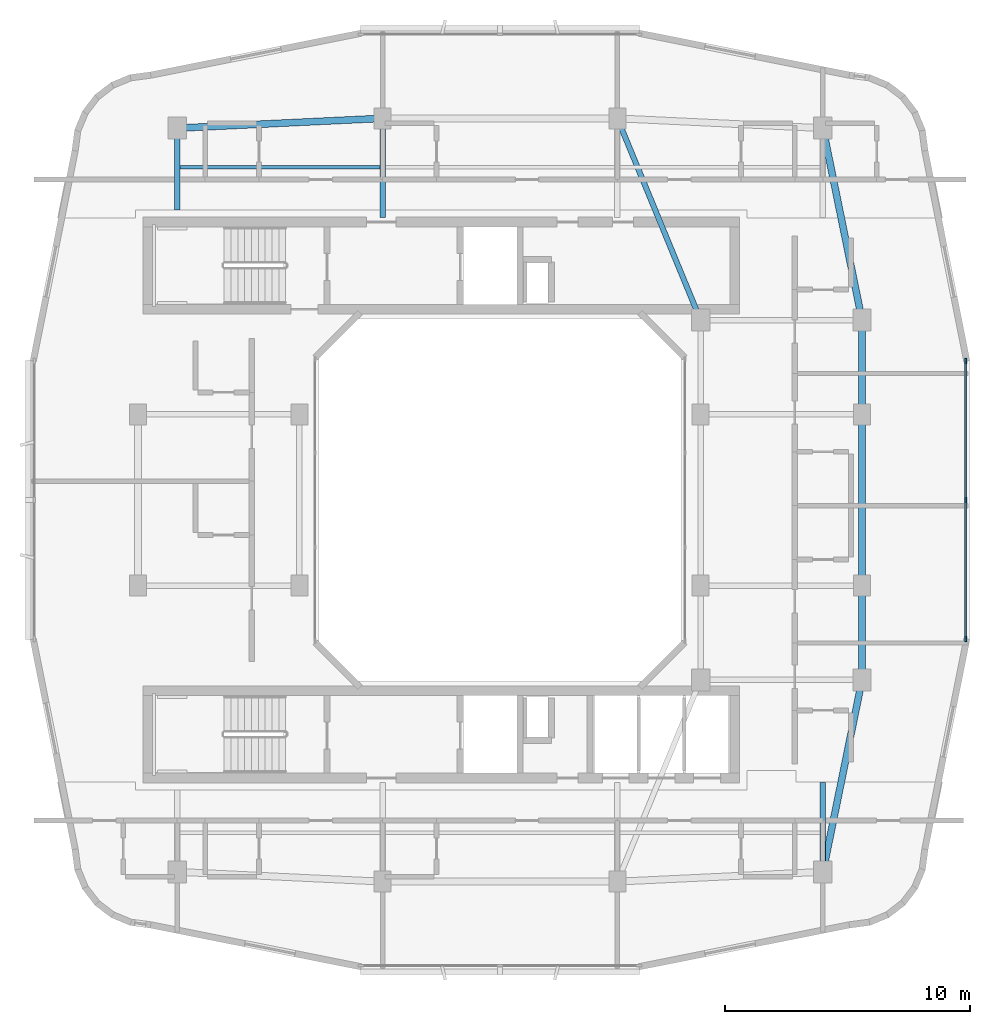
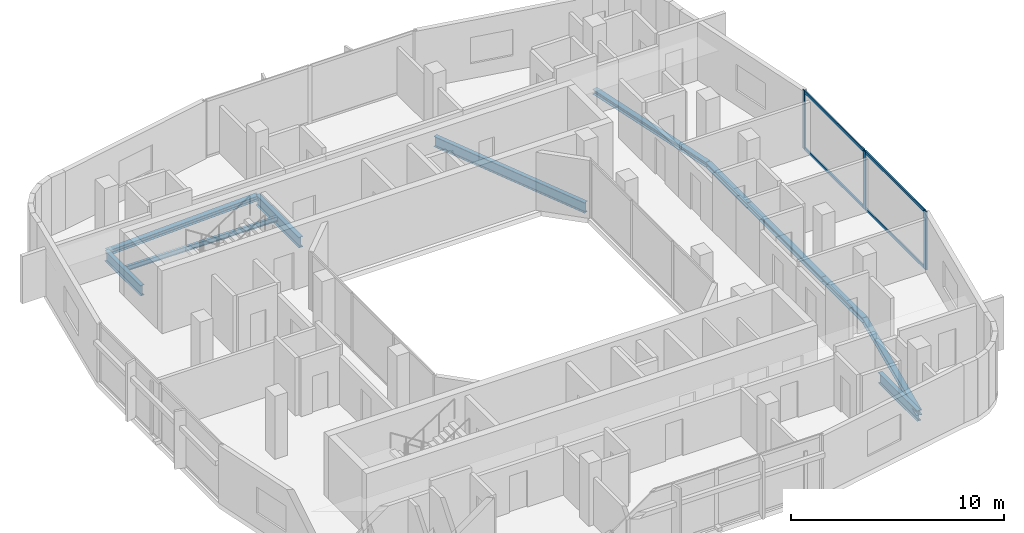
# One storey, part 4 of 14: 11 beams, 7 members, 1 element without a shape of its own.
"""IFC4 building model written with IfcOpenShell, lengths in metres."""

from ifc_helpers import new_model, si_unit, derived_unit, direction, frame, origin, origin_2d, place, context, subcontext, project, spatial, rectangle, i_section, extrude, material, layer, layer_set, material_profile, profile_set, type_object, element, aggregate, save


model = new_model("IFC4")

# Units and contexts
model_context = context("Model", 3, precision=1e-05, world=origin(), true_north=direction((0.0, 1.0)))
body_context = subcontext(model_context, "Body", "Model", "MODEL_VIEW")
ifc_project = project(units=[si_unit("LENGTHUNIT", "METRE"), si_unit("AREAUNIT", "SQUARE_METRE"), si_unit("VOLUMEUNIT", "CUBIC_METRE"), si_unit("PLANEANGLEUNIT", "RADIAN"), si_unit("MASSUNIT", "GRAM", prefix="KILO"), derived_unit("THERMALTRANSMITTANCEUNIT", [(si_unit("POWERUNIT", "WATT"), 1), (si_unit("LENGTHUNIT", "METRE"), -2), (si_unit("THERMODYNAMICTEMPERATUREUNIT", "KELVIN"), -1)])], contexts=[model_context])

# Site, building, storey
site_placement = place(None, origin())
site = spatial("IfcSite", under=ifc_project, at=site_placement, CompositionType="ELEMENT")
building_placement = place(site_placement, origin())
building = spatial("IfcBuilding", under=site, at=building_placement, Name="Kivonza Crest Hotel", CompositionType="ELEMENT")
storey_placement = place(building_placement, frame((0.0, 0.0, 224.300048828125)))
storey = spatial("IfcBuildingStorey", under=building, at=storey_placement, Name="L61", CompositionType="ELEMENT", Elevation=224.300048828125)

# Beams
ifc_material_1 = material(Name="Steel S355", Category="steel")
ifc_material_profile_1 = material_profile(ifc_material_1, i_section(OverallWidth=0.280029296875, OverallDepth=0.280029296875, WebThickness=0.010498046875, FlangeThickness=0.01806640625, FilletRadius=0.02392578125, at=origin_2d()), Name="HEB 280")
ifc_profile_set_1 = profile_set([ifc_material_profile_1], Name="Steel S355")
beam_type_1 = type_object("IfcBeamType", Name="BM-HEB280", PredefinedType="SPANDREL", material=ifc_profile_set_1)
beam_1_placement = place(storey_placement, frame((34.199951171875, 9.800048828125, -0.420166015625), z_axis=(0.199730733965, 0.979850822273, 0.0), x_axis=(-0.979850822273, 0.199730733965, 0.0)))
element("IfcBeam", 1, at=beam_1_placement, inside=storey, type_object=beam_type_1, Name="Tower T1 L61 perimeter spandrel SE-PSE", PredefinedType="SPANDREL", context=body_context, shape_type="SweptSolid", body=[
    extrude(i_section(OverallWidth=0.280029296875, OverallDepth=0.280029296875, WebThickness=0.010498046875, FlangeThickness=0.01806640625, FilletRadius=0.02392578125, at=origin_2d()), origin(), (0.0, 0.0, 1.0), 8.01123046875),
])
beam_2_placement = place(storey_placement, frame((35.800048828125, 17.64990234375, -0.420166015625), z_axis=(0.0, 1.0, 0.0), x_axis=(-1.0, 0.0, 0.0)))
element("IfcBeam", 2, at=beam_2_placement, inside=storey, type_object=beam_type_1, Name="Tower T1 L61 perimeter spandrel PSE-E1", PredefinedType="SPANDREL", context=body_context, shape_type="SweptSolid", body=[
    extrude(i_section(OverallWidth=0.280029296875, OverallDepth=0.280029296875, WebThickness=0.010498046875, FlangeThickness=0.01806640625, FilletRadius=0.02392578125, at=origin_2d()), origin(), (0.0, 0.0, 1.0), 3.85009765625),
])
beam_3_placement = place(storey_placement, frame((35.800048828125, 21.5, -0.420166015625), z_axis=(0.0, 1.0, 0.0), x_axis=(-1.0, 0.0, 0.0)))
element("IfcBeam", 3, at=beam_3_placement, inside=storey, type_object=beam_type_1, Name="Tower T1 L61 perimeter spandrel E1-E2", PredefinedType="SPANDREL", context=body_context, shape_type="SweptSolid", body=[
    extrude(i_section(OverallWidth=0.280029296875, OverallDepth=0.280029296875, WebThickness=0.010498046875, FlangeThickness=0.01806640625, FilletRadius=0.02392578125, at=origin_2d()), origin(), (0.0, 0.0, 1.0), 7.0),
])
beam_4_placement = place(storey_placement, frame((35.800048828125, 28.5, -0.420166015625), z_axis=(0.0, 1.0, 0.0), x_axis=(-1.0, 0.0, 0.0)))
element("IfcBeam", 4, at=beam_4_placement, inside=storey, type_object=beam_type_1, Name="Tower T1 L61 perimeter spandrel E2-PNE", PredefinedType="SPANDREL", context=body_context, shape_type="SweptSolid", body=[
    extrude(i_section(OverallWidth=0.280029296875, OverallDepth=0.280029296875, WebThickness=0.010498046875, FlangeThickness=0.01806640625, FilletRadius=0.02392578125, at=origin_2d()), origin(), (0.0, 0.0, 1.0), 3.85009765625),
])
beam_5_placement = place(storey_placement, frame((35.800048828125, 32.35009765625, -0.420166015625), z_axis=(-0.199730733965, 0.979850822273, 0.0), x_axis=(-0.979850822273, -0.199730733965, 0.0)))
element("IfcBeam", 5, at=beam_5_placement, inside=storey, type_object=beam_type_1, Name="Tower T1 L61 perimeter spandrel PNE-NE", PredefinedType="SPANDREL", context=body_context, shape_type="SweptSolid", body=[
    extrude(i_section(OverallWidth=0.280029296875, OverallDepth=0.280029296875, WebThickness=0.010498046875, FlangeThickness=0.01806640625, FilletRadius=0.02392578125, at=origin_2d()), origin(), (0.0, 0.0, 1.0), 8.01123046875),
])
beam_6_placement = place(storey_placement, frame((16.199951171875, 40.60009765625, -0.420166015625), z_axis=(-0.998867283688, -0.047583080799, 0.0), x_axis=(0.047583080799, -0.998867283688, 0.0)))
element("IfcBeam", 6, at=beam_6_placement, inside=storey, type_object=beam_type_1, Name="Tower T1 L61 perimeter spandrel N1-NW", PredefinedType="SPANDREL", context=body_context, shape_type="SweptSolid", body=[
    extrude(i_section(OverallWidth=0.280029296875, OverallDepth=0.280029296875, WebThickness=0.010498046875, FlangeThickness=0.01806640625, FilletRadius=0.02392578125, at=origin_2d()), origin(), (0.0, 0.0, 1.0), 8.409423828125),
])
ifc_material_profile_2 = material_profile(ifc_material_1, i_section(OverallWidth=0.135009765625, OverallDepth=0.27001953125, WebThickness=0.006591796875, FlangeThickness=0.01025390625, FilletRadius=0.014892578125, at=origin_2d()), Name="IPE 270")
ifc_profile_set_2 = profile_set([ifc_material_profile_2], Name="Steel S355")
beam_type_2 = type_object("IfcBeamType", Name="BM-IPE270", PredefinedType="JOIST", material=ifc_profile_set_2)
beam_7_placement = place(storey_placement, frame((7.8798828125, 38.60009765625, -0.4150390625), z_axis=(1.0, 0.0, 0.0), x_axis=(0.0, 1.0, 0.0)))
element("IfcBeam", 7, at=beam_7_placement, inside=storey, type_object=beam_type_2, Name="Tower T1 L61 North-West floor joist", PredefinedType="JOIST", context=body_context, shape_type="SweptSolid", body=[
    extrude(i_section(OverallWidth=0.135009765625, OverallDepth=0.27001953125, WebThickness=0.006591796875, FlangeThickness=0.01025390625, FilletRadius=0.014892578125, at=origin_2d()), origin(), (0.0, 0.0, 1.0), 8.240234375),
])
ifc_material_profile_3 = material_profile(ifc_material_1, i_section(OverallWidth=0.219970703125, OverallDepth=0.60009765625, WebThickness=0.011962890625, FlangeThickness=0.01904296875, FilletRadius=0.02392578125, at=origin_2d()), Name="IPE 600")
ifc_profile_set_3 = profile_set([ifc_material_profile_3], Name="Steel S355")
beam_type_3 = type_object("IfcBeamType", Name="BM-IPE600", PredefinedType="BEAM", material=ifc_profile_set_3)
beam_8_placement = place(storey_placement, frame((25.800048828125, 40.60009765625, -0.580078125), z_axis=(0.381022260404, -0.924565864109, 0.0), x_axis=(0.924565864109, 0.381022260404, 0.0)))
element("IfcBeam", 8, at=beam_8_placement, inside=storey, type_object=beam_type_3, Name="Tower T1 L61 primary girder N1-TNE", PredefinedType="BEAM", context=body_context, shape_type="SweptSolid", body=[
    extrude(i_section(OverallWidth=0.219970703125, OverallDepth=0.60009765625, WebThickness=0.011962890625, FlangeThickness=0.01904296875, FilletRadius=0.02392578125, at=origin_2d()), origin(), (0.0, 0.0, 1.0), 8.923095703125),
])
beam_9_placement = place(storey_placement, frame((34.199951171875, 9.800048828125, -0.580078125), z_axis=(0.0, 1.0, 0.0), x_axis=(-1.0, 0.0, 0.0)))
element("IfcBeam", 9, at=beam_9_placement, inside=storey, type_object=beam_type_3, Name="Tower T1 L61 radial core girder RSE", PredefinedType="BEAM", context=body_context, shape_type="SweptSolid", body=[
    extrude(i_section(OverallWidth=0.219970703125, OverallDepth=0.60009765625, WebThickness=0.011962890625, FlangeThickness=0.01904296875, FilletRadius=0.02392578125, at=origin_2d()), origin(), (0.0, 0.0, 1.0), 3.64990234375),
])
beam_10_placement = place(storey_placement, frame((7.800048828125, 40.199951171875, -0.580078125), z_axis=(0.0, -1.0, 0.0), x_axis=(1.0, 0.0, 0.0)))
element("IfcBeam", 10, at=beam_10_placement, inside=storey, type_object=beam_type_3, Name="Tower T1 L61 radial core girder RNW", PredefinedType="BEAM", context=body_context, shape_type="SweptSolid", body=[
    extrude(i_section(OverallWidth=0.219970703125, OverallDepth=0.60009765625, WebThickness=0.011962890625, FlangeThickness=0.01904296875, FilletRadius=0.02392578125, at=origin_2d()), origin(), (0.0, 0.0, 1.0), 3.349853515625),
])
beam_11_placement = place(storey_placement, frame((16.199951171875, 40.60009765625, -0.580078125), z_axis=(0.0, -1.0, 0.0), x_axis=(1.0, 0.0, 0.0)))
element("IfcBeam", 11, at=beam_11_placement, inside=storey, type_object=beam_type_3, Name="Tower T1 L61 radial core girder RN1", PredefinedType="BEAM", context=body_context, shape_type="SweptSolid", body=[
    extrude(i_section(OverallWidth=0.219970703125, OverallDepth=0.60009765625, WebThickness=0.011962890625, FlangeThickness=0.01904296875, FilletRadius=0.02392578125, at=origin_2d()), origin(), (0.0, 0.0, 1.0), 4.050048828125),
])

# Curtain wall, members
ifc_material_2 = material(Name="Anodised bronze aluminium and low-E double glazing", Category="aluminium")
ifc_layer = layer(ifc_material_2, 0.179931640625)
ifc_layer_set = layer_set([ifc_layer], Name="Anodised bronze aluminium and low-E double glazing")
curtain_wall_type = type_object("IfcCurtainWallType", Name="CW-SYS-3", PredefinedType="NOTDEFINED", material=ifc_layer_set)
curtain_wall_placement = place(storey_placement, origin())
curtain_wall = element("IfcCurtainWall", 12, at=curtain_wall_placement, inside=storey, type_object=curtain_wall_type, Name="L61 unitised curtain wall CW-T1-L61-17", PredefinedType="NOTDEFINED")
ifc_material_3 = material(Name="Anodised bronze aluminium", Category="aluminium")
ifc_material_profile_4 = material_profile(ifc_material_3, rectangle(XDim=0.074951171875, YDim=0.219970703125, at=origin_2d()), Name="CW-M 75x220")
ifc_profile_set_4 = profile_set([ifc_material_profile_4], Name="Anodised bronze aluminium")
member_type_1 = type_object("IfcMemberType", Name="CW-MUL-75x220", PredefinedType="MULLION", material=ifc_profile_set_4)
member_1_placement = place(storey_placement, frame((40.0400390625, 19.3173828125, 0.0), z_axis=(0.0, 0.0, 1.0), x_axis=(-1.0, 0.0, 0.0)))
member_1 = element("IfcMember", 13, at=member_1_placement, type_object=member_type_1, Name="CW-3 mullion 1", PredefinedType="MULLION", context=body_context, shape_type="SweptSolid", body=[
    extrude(rectangle(XDim=0.074951171875, YDim=0.219970703125, at=origin_2d()), origin(), (0.0, 0.0, 1.0), 3.320068359375),
])
member_2_placement = place(storey_placement, frame((40.0400390625, 25.0, 0.0), z_axis=(0.0, 0.0, 1.0), x_axis=(-1.0, 0.0, 0.0)))
member_2 = element("IfcMember", 14, at=member_2_placement, type_object=member_type_1, Name="CW-3 mullion 2", PredefinedType="MULLION", context=body_context, shape_type="SweptSolid", body=[
    extrude(rectangle(XDim=0.074951171875, YDim=0.219970703125, at=origin_2d()), origin(), (0.0, 0.0, 1.0), 3.320068359375),
])
member_3_placement = place(storey_placement, frame((40.0400390625, 30.6826171875, 0.0), z_axis=(0.0, 0.0, 1.0), x_axis=(-1.0, 0.0, 0.0)))
member_3 = element("IfcMember", 15, at=member_3_placement, type_object=member_type_1, Name="CW-3 mullion 3", PredefinedType="MULLION", context=body_context, shape_type="SweptSolid", body=[
    extrude(rectangle(XDim=0.074951171875, YDim=0.219970703125, at=origin_2d()), origin(), (0.0, 0.0, 1.0), 3.320068359375),
])
ifc_material_profile_5 = material_profile(ifc_material_3, rectangle(XDim=0.074951171875, YDim=0.159912109375, at=origin_2d()), Name="CW-T 75x160")
ifc_profile_set_5 = profile_set([ifc_material_profile_5], Name="Anodised bronze aluminium")
member_type_2 = type_object("IfcMemberType", Name="CW-TRN-75x160", PredefinedType="USERDEFINED", material=ifc_profile_set_5)
member_4_placement = place(storey_placement, frame((40.0400390625, 19.35498046875, 0.037353515625), z_axis=(0.0, 1.0, 0.0), x_axis=(-1.0, 0.0, 0.0)))
member_4 = element("IfcMember", 16, at=member_4_placement, type_object=member_type_2, Name="CW-3 transom 1.1", ObjectType="TRANSOM", PredefinedType="USERDEFINED", context=body_context, shape_type="SweptSolid", body=[
    extrude(rectangle(XDim=0.074951171875, YDim=0.159912109375, at=origin_2d()), origin(), (0.0, 0.0, 1.0), 5.607421875),
])
member_5_placement = place(storey_placement, frame((40.0400390625, 19.35498046875, 3.282470703125), z_axis=(0.0, 1.0, 0.0), x_axis=(-1.0, 0.0, 0.0)))
member_5 = element("IfcMember", 17, at=member_5_placement, type_object=member_type_2, Name="CW-3 transom 1.2", ObjectType="TRANSOM", PredefinedType="USERDEFINED", context=body_context, shape_type="SweptSolid", body=[
    extrude(rectangle(XDim=0.074951171875, YDim=0.159912109375, at=origin_2d()), origin(), (0.0, 0.0, 1.0), 5.607421875),
])
member_6_placement = place(storey_placement, frame((40.0400390625, 25.03759765625, 0.037353515625), z_axis=(0.0, 1.0, 0.0), x_axis=(-1.0, 0.0, 0.0)))
member_6 = element("IfcMember", 18, at=member_6_placement, type_object=member_type_2, Name="CW-3 transom 2.1", ObjectType="TRANSOM", PredefinedType="USERDEFINED", context=body_context, shape_type="SweptSolid", body=[
    extrude(rectangle(XDim=0.074951171875, YDim=0.159912109375, at=origin_2d()), origin(), (0.0, 0.0, 1.0), 5.607421875),
])
member_7_placement = place(storey_placement, frame((40.0400390625, 25.03759765625, 3.282470703125), z_axis=(0.0, 1.0, 0.0), x_axis=(-1.0, 0.0, 0.0)))
member_7 = element("IfcMember", 19, at=member_7_placement, type_object=member_type_2, Name="CW-3 transom 2.2", ObjectType="TRANSOM", PredefinedType="USERDEFINED", context=body_context, shape_type="SweptSolid", body=[
    extrude(rectangle(XDim=0.074951171875, YDim=0.159912109375, at=origin_2d()), origin(), (0.0, 0.0, 1.0), 5.607421875),
])
aggregate(curtain_wall, [member_1, member_2, member_3, member_4, member_5, member_6, member_7])

save(model, "model.ifc")
